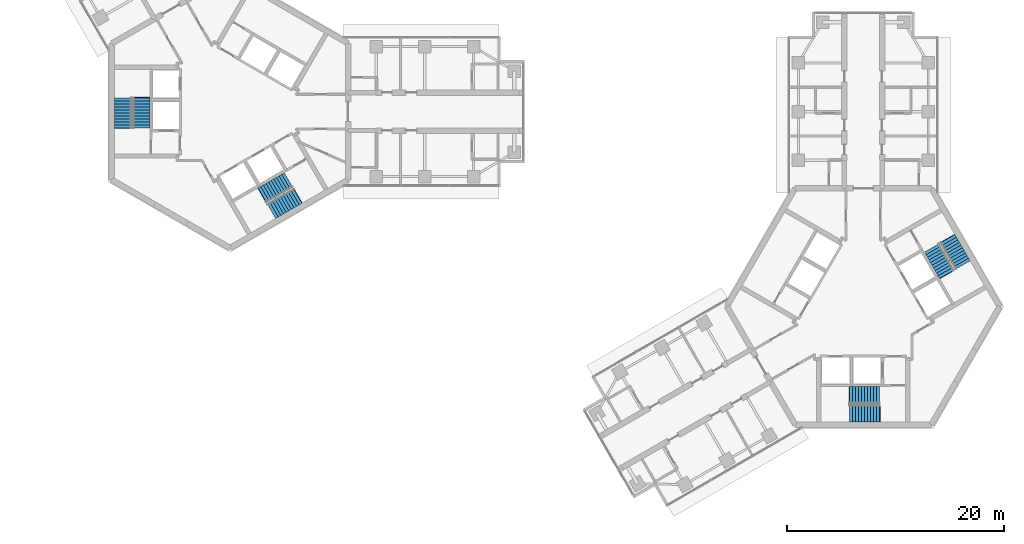
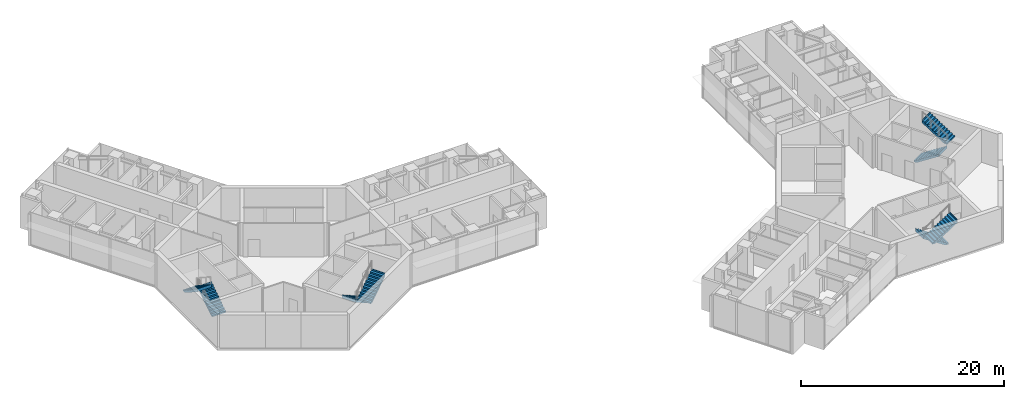
# One storey, part 16 of 17: 8 stair flights, 4 elements without a shape of their own.
"""IFC4 building model written with IfcOpenShell, lengths in metres."""

from ifc_helpers import new_model, si_unit, direction, frame, origin, place, context, subcontext, project, spatial, polyline, outline, extrude, material, type_object, element, aggregate, save


model = new_model("IFC4")

# Units and contexts
model_context = context("Model", 3, precision=1e-05, world=origin(), true_north=direction((0.0, 1.0)))
body_context = subcontext(model_context, "Body", "Model", "MODEL_VIEW")
ifc_project = project(units=[si_unit("LENGTHUNIT", "METRE"), si_unit("AREAUNIT", "SQUARE_METRE"), si_unit("VOLUMEUNIT", "CUBIC_METRE"), si_unit("PLANEANGLEUNIT", "RADIAN"), si_unit("MASSUNIT", "GRAM", prefix="KILO")], contexts=[model_context])

# Site, building, storey
site_placement = place(None, origin())
site = spatial("IfcSite", under=ifc_project, at=site_placement, CompositionType="ELEMENT")
building_placement = place(site_placement, origin())
building = spatial("IfcBuilding", under=site, at=building_placement, Name="Upepo Twin Towers", CompositionType="ELEMENT")
storey_placement = place(building_placement, frame((0.0, 0.0, 198.5)))
storey = spatial("IfcBuildingStorey", under=building, at=storey_placement, Name="L48", CompositionType="ELEMENT", Elevation=198.5)

# Stair, stair flights
ifc_material_1 = material(Name="Concrete C40/50", Category="concrete")
stair_type = type_object("IfcStairType", Name="Core stair, two flights", PredefinedType="HALF_TURN_STAIR", material=ifc_material_1)
stair_1_placement = place(storey_placement, origin())
stair_1 = element("IfcStair", 1, at=stair_1_placement, inside=storey, type_object=stair_type, Name="T1 stair S1 L48", PredefinedType="HALF_TURN_STAIR")
ifc_material_2 = material(Name="Concrete C40/50", Category="concrete")
stair_flight_type = type_object("IfcStairFlightType", Name="Stair flight 1550 RC", PredefinedType="STRAIGHT", material=ifc_material_2)
stair_flight_1_placement = place(storey_placement, frame((-8.175048828125, -1.52001953125, 0.0), z_axis=(0.0, 0.0, 1.0), x_axis=(0.0, 1.0, 0.0)))
stair_flight_1 = element("IfcStairFlight", 2, at=stair_flight_1_placement, type_object=stair_flight_type, Name="Stair S1 flight 1", NumberOfRisers=11, NumberOfTreads=10, PredefinedType="STRAIGHT", RiserHeight=0.181818182, TreadLength=0.28, context=body_context, shape_type="SweptSolid", body=[
    extrude(outline(polyline([(0.0, 0.0), (0.0, 0.181884765625), (0.280029296875, 0.181884765625), (0.280029296875, 0.363525390625), (0.56005859375, 0.363525390625), (0.56005859375, 0.54541015625), (0.840087890625, 0.54541015625), (0.840087890625, 0.727294921875), (1.1201171875, 0.727294921875), (1.1201171875, 0.9091796875), (1.39990234375, 0.9091796875), (1.39990234375, 1.0908203125), (1.679931640625, 1.0908203125), (1.679931640625, 1.272705078125), (1.9599609375, 1.272705078125), (1.9599609375, 1.45458984375), (2.239990234375, 1.45458984375), (2.239990234375, 1.636474609375), (2.52001953125, 1.636474609375), (2.52001953125, 1.818115234375), (2.800048828125, 1.818115234375), (2.800048828125, 2.0), (2.85009765625, 2.0), (2.85009765625, 1.639404296875), (0.3251953125, 0.0), (0.0, 0.0)])), frame((0.0, 0.77490234375, 0.0), z_axis=(0.0, -1.0, 0.0), x_axis=(1.0, 0.0, 0.0)), (0.0, 0.0, 1.0), 1.550048828125),
])
stair_flight_2_placement = place(storey_placement, frame((-9.88330078125, 1.280029296875, 2.0), z_axis=(0.0, 0.0, 1.0), x_axis=(0.0, -1.0, 0.0)))
stair_flight_2 = element("IfcStairFlight", 3, at=stair_flight_2_placement, type_object=stair_flight_type, Name="Stair S1 flight 2", NumberOfRisers=11, NumberOfTreads=10, PredefinedType="STRAIGHT", RiserHeight=0.181818182, TreadLength=0.28, context=body_context, shape_type="SweptSolid", body=[
    extrude(outline(polyline([(0.0, 0.0), (0.0, 0.181884765625), (0.280029296875, 0.181884765625), (0.280029296875, 0.363525390625), (0.56005859375, 0.363525390625), (0.56005859375, 0.54541015625), (0.840087890625, 0.54541015625), (0.840087890625, 0.727294921875), (1.1201171875, 0.727294921875), (1.1201171875, 0.9091796875), (1.39990234375, 0.9091796875), (1.39990234375, 1.0908203125), (1.679931640625, 1.0908203125), (1.679931640625, 1.272705078125), (1.9599609375, 1.272705078125), (1.9599609375, 1.45458984375), (2.239990234375, 1.45458984375), (2.239990234375, 1.636474609375), (2.52001953125, 1.636474609375), (2.52001953125, 1.818115234375), (2.800048828125, 1.818115234375), (2.800048828125, 2.0), (2.85009765625, 2.0), (2.85009765625, 1.639404296875), (0.3251953125, 0.0), (0.0, 0.0)])), frame((0.0, 0.77490234375, 0.0), z_axis=(0.0, -1.0, 0.0), x_axis=(1.0, 0.0, 0.0)), (0.0, 0.0, 1.0), 1.550048828125),
])
aggregate(stair_1, [stair_flight_1, stair_flight_2])

stair_2_placement = place(storey_placement, origin())
stair_2 = element("IfcStair", 4, at=stair_2_placement, inside=storey, type_object=stair_type, Name="T1 stair S2 L48", PredefinedType="HALF_TURN_STAIR")
stair_flight_3_placement = place(storey_placement, frame((5.40380859375, -6.31982421875, 0.0), z_axis=(0.0, 0.0, 1.0), x_axis=(-0.866025403784, -0.5, 0.0)))
stair_flight_3 = element("IfcStairFlight", 5, at=stair_flight_3_placement, type_object=stair_flight_type, Name="Stair S2 flight 1", NumberOfRisers=11, NumberOfTreads=10, PredefinedType="STRAIGHT", RiserHeight=0.181818182, TreadLength=0.28, context=body_context, shape_type="SweptSolid", body=[
    extrude(outline(polyline([(0.0, 0.0), (0.0, 0.181884765625), (0.280029296875, 0.181884765625), (0.280029296875, 0.363525390625), (0.56005859375, 0.363525390625), (0.56005859375, 0.54541015625), (0.840087890625, 0.54541015625), (0.840087890625, 0.727294921875), (1.1201171875, 0.727294921875), (1.1201171875, 0.9091796875), (1.39990234375, 0.9091796875), (1.39990234375, 1.0908203125), (1.679931640625, 1.0908203125), (1.679931640625, 1.272705078125), (1.9599609375, 1.272705078125), (1.9599609375, 1.45458984375), (2.239990234375, 1.45458984375), (2.239990234375, 1.636474609375), (2.52001953125, 1.636474609375), (2.52001953125, 1.818115234375), (2.800048828125, 1.818115234375), (2.800048828125, 2.0), (2.85009765625, 2.0), (2.85009765625, 1.639404296875), (0.3251953125, 0.0), (0.0, 0.0)])), frame((0.0, 0.77490234375, 0.0), z_axis=(0.0, -1.0, 0.0), x_axis=(1.0, 0.0, 0.0)), (0.0, 0.0, 1.0), 1.550048828125),
])
stair_flight_4_placement = place(storey_placement, frame((3.833251953125, -9.19921875, 2.0), z_axis=(0.0, 0.0, 1.0), x_axis=(0.866025403784, 0.5, 0.0)))
stair_flight_4 = element("IfcStairFlight", 6, at=stair_flight_4_placement, type_object=stair_flight_type, Name="Stair S2 flight 2", NumberOfRisers=11, NumberOfTreads=10, PredefinedType="STRAIGHT", RiserHeight=0.181818182, TreadLength=0.28, context=body_context, shape_type="SweptSolid", body=[
    extrude(outline(polyline([(0.0, 0.0), (0.0, 0.181884765625), (0.280029296875, 0.181884765625), (0.280029296875, 0.363525390625), (0.56005859375, 0.363525390625), (0.56005859375, 0.54541015625), (0.840087890625, 0.54541015625), (0.840087890625, 0.727294921875), (1.1201171875, 0.727294921875), (1.1201171875, 0.9091796875), (1.39990234375, 0.9091796875), (1.39990234375, 1.0908203125), (1.679931640625, 1.0908203125), (1.679931640625, 1.272705078125), (1.9599609375, 1.272705078125), (1.9599609375, 1.45458984375), (2.239990234375, 1.45458984375), (2.239990234375, 1.636474609375), (2.52001953125, 1.636474609375), (2.52001953125, 1.818115234375), (2.800048828125, 1.818115234375), (2.800048828125, 2.0), (2.85009765625, 2.0), (2.85009765625, 1.639404296875), (0.3251953125, 0.0), (0.0, 0.0)])), frame((0.0, 0.77490234375, 0.0), z_axis=(0.0, -1.0, 0.0), x_axis=(1.0, 0.0, 0.0)), (0.0, 0.0, 1.0), 1.550048828125),
])
aggregate(stair_2, [stair_flight_3, stair_flight_4])

stair_3_placement = place(storey_placement, origin())
stair_3 = element("IfcStair", 7, at=stair_3_placement, inside=storey, type_object=stair_type, Name="T2 stair S1 L48", PredefinedType="HALF_TURN_STAIR")
stair_flight_5_placement = place(storey_placement, frame((60.02001953125, -26.175048828125, 0.0), z_axis=(0.0, 0.0, 1.0), x_axis=(-1.0, 0.0, 0.0)))
stair_flight_5 = element("IfcStairFlight", 8, at=stair_flight_5_placement, type_object=stair_flight_type, Name="Stair S1 flight 1", NumberOfRisers=11, NumberOfTreads=10, PredefinedType="STRAIGHT", RiserHeight=0.181818182, TreadLength=0.28, context=body_context, shape_type="SweptSolid", body=[
    extrude(outline(polyline([(0.0, 0.0), (0.0, 0.181884765625), (0.280029296875, 0.181884765625), (0.280029296875, 0.363525390625), (0.56005859375, 0.363525390625), (0.56005859375, 0.54541015625), (0.840087890625, 0.54541015625), (0.840087890625, 0.727294921875), (1.1201171875, 0.727294921875), (1.1201171875, 0.9091796875), (1.39990234375, 0.9091796875), (1.39990234375, 1.0908203125), (1.679931640625, 1.0908203125), (1.679931640625, 1.272705078125), (1.9599609375, 1.272705078125), (1.9599609375, 1.45458984375), (2.239990234375, 1.45458984375), (2.239990234375, 1.636474609375), (2.52001953125, 1.636474609375), (2.52001953125, 1.818115234375), (2.800048828125, 1.818115234375), (2.800048828125, 2.0), (2.85009765625, 2.0), (2.85009765625, 1.639404296875), (0.3251953125, 0.0), (0.0, 0.0)])), frame((0.0, 0.77490234375, 0.0), z_axis=(0.0, -1.0, 0.0), x_axis=(1.0, 0.0, 0.0)), (0.0, 0.0, 1.0), 1.550048828125),
])
stair_flight_6_placement = place(storey_placement, frame((57.219970703125, -27.88330078125, 2.0), z_axis=(0.0, 0.0, 1.0), x_axis=(1.0, 0.0, 0.0)))
stair_flight_6 = element("IfcStairFlight", 9, at=stair_flight_6_placement, type_object=stair_flight_type, Name="Stair S1 flight 2", NumberOfRisers=11, NumberOfTreads=10, PredefinedType="STRAIGHT", RiserHeight=0.181818182, TreadLength=0.28, context=body_context, shape_type="SweptSolid", body=[
    extrude(outline(polyline([(0.0, 0.0), (0.0, 0.181884765625), (0.280029296875, 0.181884765625), (0.280029296875, 0.363525390625), (0.56005859375, 0.363525390625), (0.56005859375, 0.54541015625), (0.840087890625, 0.54541015625), (0.840087890625, 0.727294921875), (1.1201171875, 0.727294921875), (1.1201171875, 0.9091796875), (1.39990234375, 0.9091796875), (1.39990234375, 1.0908203125), (1.679931640625, 1.0908203125), (1.679931640625, 1.272705078125), (1.9599609375, 1.272705078125), (1.9599609375, 1.45458984375), (2.239990234375, 1.45458984375), (2.239990234375, 1.636474609375), (2.52001953125, 1.636474609375), (2.52001953125, 1.818115234375), (2.800048828125, 1.818115234375), (2.800048828125, 2.0), (2.85009765625, 2.0), (2.85009765625, 1.639404296875), (0.3251953125, 0.0), (0.0, 0.0)])), frame((0.0, 0.77490234375, 0.0), z_axis=(0.0, -1.0, 0.0), x_axis=(1.0, 0.0, 0.0)), (0.0, 0.0, 1.0), 1.550048828125),
])
aggregate(stair_3, [stair_flight_5, stair_flight_6])

stair_4_placement = place(storey_placement, origin())
stair_4 = element("IfcStair", 10, at=stair_4_placement, inside=storey, type_object=stair_type, Name="T2 stair S2 L48", PredefinedType="HALF_TURN_STAIR")
stair_flight_7_placement = place(storey_placement, frame((64.81982421875, -12.59619140625, 0.0), z_axis=(0.0, 0.0, 1.0), x_axis=(0.5, -0.866025403784, 0.0)))
stair_flight_7 = element("IfcStairFlight", 11, at=stair_flight_7_placement, type_object=stair_flight_type, Name="Stair S2 flight 1", NumberOfRisers=11, NumberOfTreads=10, PredefinedType="STRAIGHT", RiserHeight=0.181818182, TreadLength=0.28, context=body_context, shape_type="SweptSolid", body=[
    extrude(outline(polyline([(0.0, 0.0), (0.0, 0.181884765625), (0.280029296875, 0.181884765625), (0.280029296875, 0.363525390625), (0.56005859375, 0.363525390625), (0.56005859375, 0.54541015625), (0.840087890625, 0.54541015625), (0.840087890625, 0.727294921875), (1.1201171875, 0.727294921875), (1.1201171875, 0.9091796875), (1.39990234375, 0.9091796875), (1.39990234375, 1.0908203125), (1.679931640625, 1.0908203125), (1.679931640625, 1.272705078125), (1.9599609375, 1.272705078125), (1.9599609375, 1.45458984375), (2.239990234375, 1.45458984375), (2.239990234375, 1.636474609375), (2.52001953125, 1.636474609375), (2.52001953125, 1.818115234375), (2.800048828125, 1.818115234375), (2.800048828125, 2.0), (2.85009765625, 2.0), (2.85009765625, 1.639404296875), (0.3251953125, 0.0), (0.0, 0.0)])), frame((0.0, 0.77490234375, 0.0), z_axis=(0.0, -1.0, 0.0), x_axis=(1.0, 0.0, 0.0)), (0.0, 0.0, 1.0), 1.550048828125),
])
stair_flight_8_placement = place(storey_placement, frame((67.69921875, -14.166748046875, 2.0), z_axis=(0.0, 0.0, 1.0), x_axis=(-0.5, 0.866025403784, 0.0)))
stair_flight_8 = element("IfcStairFlight", 12, at=stair_flight_8_placement, type_object=stair_flight_type, Name="Stair S2 flight 2", NumberOfRisers=11, NumberOfTreads=10, PredefinedType="STRAIGHT", RiserHeight=0.181818182, TreadLength=0.28, context=body_context, shape_type="SweptSolid", body=[
    extrude(outline(polyline([(0.0, 0.0), (0.0, 0.181884765625), (0.280029296875, 0.181884765625), (0.280029296875, 0.363525390625), (0.56005859375, 0.363525390625), (0.56005859375, 0.54541015625), (0.840087890625, 0.54541015625), (0.840087890625, 0.727294921875), (1.1201171875, 0.727294921875), (1.1201171875, 0.9091796875), (1.39990234375, 0.9091796875), (1.39990234375, 1.0908203125), (1.679931640625, 1.0908203125), (1.679931640625, 1.272705078125), (1.9599609375, 1.272705078125), (1.9599609375, 1.45458984375), (2.239990234375, 1.45458984375), (2.239990234375, 1.636474609375), (2.52001953125, 1.636474609375), (2.52001953125, 1.818115234375), (2.800048828125, 1.818115234375), (2.800048828125, 2.0), (2.85009765625, 2.0), (2.85009765625, 1.639404296875), (0.3251953125, 0.0), (0.0, 0.0)])), frame((0.0, 0.77490234375, 0.0), z_axis=(0.0, -1.0, 0.0), x_axis=(1.0, 0.0, 0.0)), (0.0, 0.0, 1.0), 1.550048828125),
])
aggregate(stair_4, [stair_flight_7, stair_flight_8])

save(model, "model.ifc")
